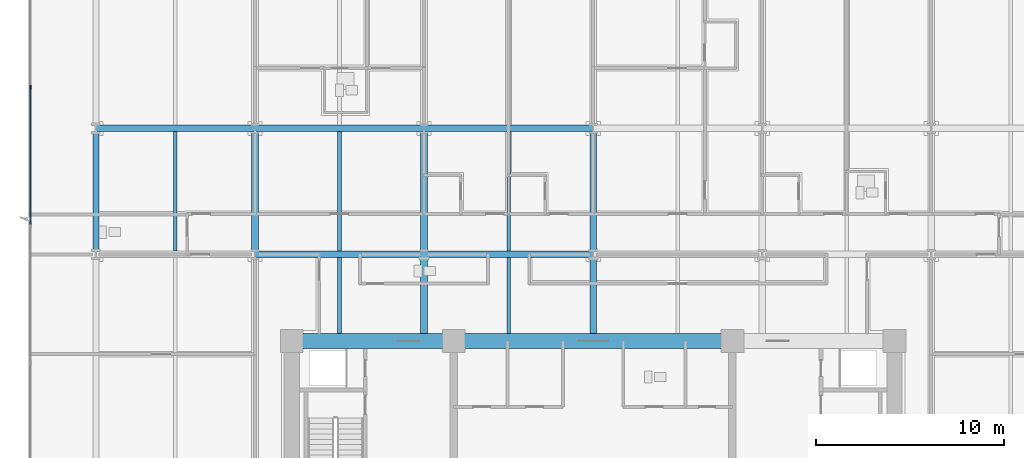
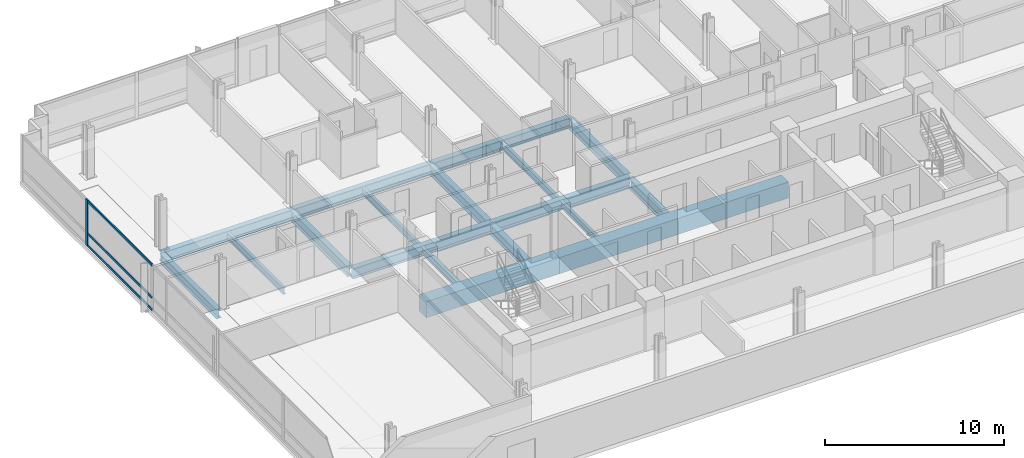
# One storey, part 3 of 16: 18 beams, 4 members, 1 element without a shape of its own.
"""IFC4 building model written with IfcOpenShell, lengths in metres."""

from ifc_helpers import new_model, si_unit, direction, frame, origin, origin_2d, place, context, subcontext, project, spatial, rectangle, i_section, extrude, material, material_profile, profile_set, type_object, element, aggregate, save


model = new_model("IFC4")

# Units and contexts
model_context = context("Model", 3, precision=1e-05, world=origin(), true_north=direction((0.0, 1.0)))
body_context = subcontext(model_context, "Body", "Model", "MODEL_VIEW")
ifc_project = project(units=[si_unit("LENGTHUNIT", "METRE"), si_unit("AREAUNIT", "SQUARE_METRE"), si_unit("VOLUMEUNIT", "CUBIC_METRE"), si_unit("PLANEANGLEUNIT", "RADIAN"), si_unit("MASSUNIT", "GRAM", prefix="KILO")], contexts=[model_context])

# Site, building, storey
site_placement = place(None, origin())
site = spatial("IfcSite", under=ifc_project, at=site_placement, CompositionType="ELEMENT")
building_placement = place(site_placement, origin())
building = spatial("IfcBuilding", under=site, at=building_placement, Name="Solmavex Isthmus Hotel", CompositionType="ELEMENT")
storey_placement = place(building_placement, frame((0.0, 0.0, 67.800048828125)))
storey = spatial("IfcBuildingStorey", under=building, at=storey_placement, Name="L18", CompositionType="ELEMENT", Elevation=67.800048828125)

# Beams
ifc_material_1 = material(Name="Steel ASTM A992 Grade 50", Category="steel")
ifc_material_profile_1 = material_profile(ifc_material_1, i_section(OverallWidth=0.354736328125, OverallDepth=0.695556640625, WebThickness=0.015380859375, FlangeThickness=0.02490234375, FilletRadius=0.017822265625, at=origin_2d()), Name="W27X146")
ifc_profile_set_1 = profile_set([ifc_material_profile_1], Name="Steel ASTM A992 Grade 50")
beam_type_1 = type_object("IfcBeamType", Name="BM-BG-W27X146", PredefinedType="BEAM", material=ifc_profile_set_1)
beam_1_placement = place(storey_placement, frame((-17.951904296875, 2.10009765625, -0.60791015625), z_axis=(1.0, 0.0, 0.0), x_axis=(0.0, 1.0, 0.0)))
element("IfcBeam", 1, at=beam_1_placement, inside=storey, type_object=beam_type_1, Name="Floor Girder L18-UG08", PredefinedType="BEAM", context=body_context, shape_type="SweptSolid", body=[
    extrude(i_section(OverallWidth=0.354736328125, OverallDepth=0.695556640625, WebThickness=0.015380859375, FlangeThickness=0.02490234375, FilletRadius=0.017822265625, at=origin_2d()), origin(), (0.0, 0.0, 1.0), 8.975830078125),
])
beam_2_placement = place(storey_placement, frame((-8.97607421875, 2.10009765625, -0.60791015625), z_axis=(1.0, 0.0, 0.0), x_axis=(0.0, 1.0, 0.0)))
element("IfcBeam", 2, at=beam_2_placement, inside=storey, type_object=beam_type_1, Name="Floor Girder L18-UG09", PredefinedType="BEAM", context=body_context, shape_type="SweptSolid", body=[
    extrude(i_section(OverallWidth=0.354736328125, OverallDepth=0.695556640625, WebThickness=0.015380859375, FlangeThickness=0.02490234375, FilletRadius=0.017822265625, at=origin_2d()), origin(), (0.0, 0.0, 1.0), 8.97607421875),
])
beam_3_placement = place(storey_placement, frame((-26.39990234375, 8.7880859375, -0.60791015625), z_axis=(1.0, 0.0, 0.0), x_axis=(0.0, 1.0, 0.0)))
element("IfcBeam", 3, at=beam_3_placement, inside=storey, type_object=beam_type_1, Name="Floor Girder L18-UG13", PredefinedType="BEAM", context=body_context, shape_type="SweptSolid", body=[
    extrude(i_section(OverallWidth=0.354736328125, OverallDepth=0.695556640625, WebThickness=0.015380859375, FlangeThickness=0.02490234375, FilletRadius=0.017822265625, at=origin_2d()), origin(), (0.0, 0.0, 1.0), 8.447998046875),
])
beam_4_placement = place(storey_placement, frame((-17.951904296875, 8.7880859375, -0.60791015625), z_axis=(1.0, 0.0, 0.0), x_axis=(0.0, 1.0, 0.0)))
element("IfcBeam", 4, at=beam_4_placement, inside=storey, type_object=beam_type_1, Name="Floor Girder L18-UG14", PredefinedType="BEAM", context=body_context, shape_type="SweptSolid", body=[
    extrude(i_section(OverallWidth=0.354736328125, OverallDepth=0.695556640625, WebThickness=0.015380859375, FlangeThickness=0.02490234375, FilletRadius=0.017822265625, at=origin_2d()), origin(), (0.0, 0.0, 1.0), 8.975830078125),
])
beam_5_placement = place(storey_placement, frame((-8.97607421875, 8.7880859375, -0.60791015625), z_axis=(1.0, 0.0, 0.0), x_axis=(0.0, 1.0, 0.0)))
element("IfcBeam", 5, at=beam_5_placement, inside=storey, type_object=beam_type_1, Name="Floor Girder L18-UG15", PredefinedType="BEAM", context=body_context, shape_type="SweptSolid", body=[
    extrude(i_section(OverallWidth=0.354736328125, OverallDepth=0.695556640625, WebThickness=0.015380859375, FlangeThickness=0.02490234375, FilletRadius=0.017822265625, at=origin_2d()), origin(), (0.0, 0.0, 1.0), 8.97607421875),
])
beam_6_placement = place(storey_placement, frame((-17.951904296875, 2.27734375, -0.60791015625), z_axis=(0.0, 1.0, 0.0), x_axis=(-1.0, 0.0, 0.0)))
element("IfcBeam", 6, at=beam_6_placement, inside=storey, type_object=beam_type_1, Name="Floor Beam L18-VG29", PredefinedType="BEAM", context=body_context, shape_type="SweptSolid", body=[
    extrude(i_section(OverallWidth=0.354736328125, OverallDepth=0.695556640625, WebThickness=0.015380859375, FlangeThickness=0.02490234375, FilletRadius=0.017822265625, at=origin_2d()), origin(), (0.0, 0.0, 1.0), 6.333251953125),
])
beam_7_placement = place(storey_placement, frame((-8.97607421875, -2.10009765625, -0.60791015625), z_axis=(0.0, 1.0, 0.0), x_axis=(-1.0, 0.0, 0.0)))
element("IfcBeam", 7, at=beam_7_placement, inside=storey, type_object=beam_type_1, Name="Floor Beam L18-VG32", PredefinedType="BEAM", context=body_context, shape_type="SweptSolid", body=[
    extrude(i_section(OverallWidth=0.354736328125, OverallDepth=0.695556640625, WebThickness=0.015380859375, FlangeThickness=0.02490234375, FilletRadius=0.017822265625, at=origin_2d()), origin(), (0.0, 0.0, 1.0), 4.022705078125),
])
beam_8_placement = place(storey_placement, frame((-8.97607421875, 2.27734375, -0.60791015625), z_axis=(0.0, 1.0, 0.0), x_axis=(-1.0, 0.0, 0.0)))
element("IfcBeam", 8, at=beam_8_placement, inside=storey, type_object=beam_type_1, Name="Floor Beam L18-VG33", PredefinedType="BEAM", context=body_context, shape_type="SweptSolid", body=[
    extrude(i_section(OverallWidth=0.354736328125, OverallDepth=0.695556640625, WebThickness=0.015380859375, FlangeThickness=0.02490234375, FilletRadius=0.017822265625, at=origin_2d()), origin(), (0.0, 0.0, 1.0), 6.333251953125),
])
beam_9_placement = place(storey_placement, frame((0.0, -2.10009765625, -0.60791015625), z_axis=(0.0, 1.0, 0.0), x_axis=(-1.0, 0.0, 0.0)))
element("IfcBeam", 9, at=beam_9_placement, inside=storey, type_object=beam_type_1, Name="Floor Beam L18-VG36", PredefinedType="BEAM", context=body_context, shape_type="SweptSolid", body=[
    extrude(i_section(OverallWidth=0.354736328125, OverallDepth=0.695556640625, WebThickness=0.015380859375, FlangeThickness=0.02490234375, FilletRadius=0.017822265625, at=origin_2d()), origin(), (0.0, 0.0, 1.0), 4.022705078125),
])
beam_10_placement = place(storey_placement, frame((0.0, 2.27734375, -0.60791015625), z_axis=(0.0, 1.0, 0.0), x_axis=(-1.0, 0.0, 0.0)))
element("IfcBeam", 10, at=beam_10_placement, inside=storey, type_object=beam_type_1, Name="Floor Beam L18-VG37", PredefinedType="BEAM", context=body_context, shape_type="SweptSolid", body=[
    extrude(i_section(OverallWidth=0.354736328125, OverallDepth=0.695556640625, WebThickness=0.015380859375, FlangeThickness=0.02490234375, FilletRadius=0.017822265625, at=origin_2d()), origin(), (0.0, 0.0, 1.0), 6.333251953125),
])
ifc_material_profile_2 = material_profile(ifc_material_1, i_section(OverallWidth=0.1904296875, OverallDepth=0.456787109375, WebThickness=0.009033203125, FlangeThickness=0.014404296875, FilletRadius=0.0126953125, at=origin_2d()), Name="W18X50")
ifc_profile_set_2 = profile_set([ifc_material_profile_2], Name="Steel ASTM A992 Grade 50")
beam_type_2 = type_object("IfcBeamType", Name="BM-BJ-W18X50", PredefinedType="JOIST", material=ifc_profile_set_2)
beam_11_placement = place(storey_placement, frame((-22.176025390625, 2.27734375, -0.488525390625), z_axis=(0.0, 1.0, 0.0), x_axis=(-1.0, 0.0, 0.0)))
element("IfcBeam", 11, at=beam_11_placement, inside=storey, type_object=beam_type_2, Name="Secondary Floor Joist L18-J02", PredefinedType="JOIST", context=body_context, shape_type="SweptSolid", body=[
    extrude(i_section(OverallWidth=0.1904296875, OverallDepth=0.456787109375, WebThickness=0.009033203125, FlangeThickness=0.014404296875, FilletRadius=0.0126953125, at=origin_2d()), origin(), (0.0, 0.0, 1.0), 6.333251953125),
])
beam_12_placement = place(storey_placement, frame((-13.464111328125, -2.10009765625, -0.488525390625), z_axis=(0.0, 1.0, 0.0), x_axis=(-1.0, 0.0, 0.0)))
element("IfcBeam", 12, at=beam_12_placement, inside=storey, type_object=beam_type_2, Name="Secondary Floor Joist L18-J05", PredefinedType="JOIST", context=body_context, shape_type="SweptSolid", body=[
    extrude(i_section(OverallWidth=0.1904296875, OverallDepth=0.456787109375, WebThickness=0.009033203125, FlangeThickness=0.014404296875, FilletRadius=0.0126953125, at=origin_2d()), origin(), (0.0, 0.0, 1.0), 4.022705078125),
])
beam_13_placement = place(storey_placement, frame((-13.464111328125, 2.27734375, -0.488525390625), z_axis=(0.0, 1.0, 0.0), x_axis=(-1.0, 0.0, 0.0)))
element("IfcBeam", 13, at=beam_13_placement, inside=storey, type_object=beam_type_2, Name="Secondary Floor Joist L18-J06", PredefinedType="JOIST", context=body_context, shape_type="SweptSolid", body=[
    extrude(i_section(OverallWidth=0.1904296875, OverallDepth=0.456787109375, WebThickness=0.009033203125, FlangeThickness=0.014404296875, FilletRadius=0.0126953125, at=origin_2d()), origin(), (0.0, 0.0, 1.0), 6.333251953125),
])
beam_14_placement = place(storey_placement, frame((-4.488037109375, -2.10009765625, -0.488525390625), z_axis=(0.0, 1.0, 0.0), x_axis=(-1.0, 0.0, 0.0)))
element("IfcBeam", 14, at=beam_14_placement, inside=storey, type_object=beam_type_2, Name="Secondary Floor Joist L18-J09", PredefinedType="JOIST", context=body_context, shape_type="SweptSolid", body=[
    extrude(i_section(OverallWidth=0.1904296875, OverallDepth=0.456787109375, WebThickness=0.009033203125, FlangeThickness=0.014404296875, FilletRadius=0.0126953125, at=origin_2d()), origin(), (0.0, 0.0, 1.0), 4.022705078125),
])
beam_15_placement = place(storey_placement, frame((-4.488037109375, 2.27734375, -0.488525390625), z_axis=(0.0, 1.0, 0.0), x_axis=(-1.0, 0.0, 0.0)))
element("IfcBeam", 15, at=beam_15_placement, inside=storey, type_object=beam_type_2, Name="Secondary Floor Joist L18-J10", PredefinedType="JOIST", context=body_context, shape_type="SweptSolid", body=[
    extrude(i_section(OverallWidth=0.1904296875, OverallDepth=0.456787109375, WebThickness=0.009033203125, FlangeThickness=0.014404296875, FilletRadius=0.0126953125, at=origin_2d()), origin(), (0.0, 0.0, 1.0), 6.333251953125),
])
ifc_material_2 = material(Name="Concrete C70/85", Category="concrete")
ifc_material_profile_3 = material_profile(ifc_material_2, rectangle(XDim=0.800048828125, YDim=1.10009765625, at=origin_2d()), Name="RC800X1100")
ifc_profile_set_3 = profile_set([ifc_material_profile_3], Name="Concrete C70/85")
beam_type_3 = type_object("IfcBeamType", Name="BM-CB-800X1100", PredefinedType="BEAM", material=ifc_profile_set_3)
beam_16_placement = place(storey_placement, frame((-16.0, -2.5, -0.81005859375), z_axis=(1.0, 0.0, 0.0), x_axis=(0.0, 1.0, 0.0)))
element("IfcBeam", 16, at=beam_16_placement, inside=storey, type_object=beam_type_3, Name="Core Coupling Beam L18-CB4", PredefinedType="BEAM", context=body_context, shape_type="SweptSolid", body=[
    extrude(rectangle(XDim=0.800048828125, YDim=1.10009765625, at=origin_2d()), origin(), (0.0, 0.0, 1.0), 8.60009765625),
])
beam_17_placement = place(storey_placement, frame((-7.39990234375, -2.5, -0.81005859375), z_axis=(1.0, 0.0, 0.0), x_axis=(0.0, 1.0, 0.0)))
element("IfcBeam", 17, at=beam_17_placement, inside=storey, type_object=beam_type_3, Name="Core Coupling Beam L18-CB5", PredefinedType="BEAM", context=body_context, shape_type="SweptSolid", body=[
    extrude(rectangle(XDim=0.800048828125, YDim=1.10009765625, at=origin_2d()), origin(), (0.0, 0.0, 1.0), 14.7998046875),
])
ifc_material_profile_4 = material_profile(ifc_material_1, i_section(OverallWidth=0.326416015625, OverallDepth=0.621826171875, WebThickness=0.015380859375, FlangeThickness=0.0244140625, FilletRadius=0.01513671875, at=origin_2d()), Name="W24X131")
ifc_profile_set_4 = profile_set([ifc_material_profile_4], Name="Steel ASTM A992 Grade 50")
beam_type_4 = type_object("IfcBeamType", Name="BM-SP-W24X131", PredefinedType="SPANDREL", material=ifc_profile_set_4)
beam_18_placement = place(storey_placement, frame((-26.39990234375, 2.27734375, -0.571044921875), z_axis=(0.0, 1.0, 0.0), x_axis=(-1.0, 0.0, 0.0)))
element("IfcBeam", 18, at=beam_18_placement, inside=storey, type_object=beam_type_4, Name="Floor Beam L18-VG26", PredefinedType="SPANDREL", context=body_context, shape_type="SweptSolid", body=[
    extrude(i_section(OverallWidth=0.326416015625, OverallDepth=0.621826171875, WebThickness=0.015380859375, FlangeThickness=0.0244140625, FilletRadius=0.01513671875, at=origin_2d()), origin(), (0.0, 0.0, 1.0), 6.333251953125),
])

# Curtain wall, members
ifc_material_3 = material(Name="Aluminium alloy 6063-T6", Category="aluminium")
curtain_wall_type = type_object("IfcCurtainWallType", Name="CW-SYS-02", PredefinedType="NOTDEFINED", material=ifc_material_3)
curtain_wall_placement = place(storey_placement, origin())
curtain_wall = element("IfcCurtainWall", 19, at=curtain_wall_placement, inside=storey, type_object=curtain_wall_type, Name="Stick Curtain Wall CWL-L18-W1", PredefinedType="NOTDEFINED")
ifc_material_profile_5 = material_profile(ifc_material_3, rectangle(XDim=0.074951171875, YDim=0.219970703125, at=origin_2d()), Name="CWM-75X220")
ifc_profile_set_5 = profile_set([ifc_material_profile_5], Name="Aluminium alloy 6063-T6")
member_type_1 = type_object("IfcMemberType", Name="CW-SYS-02-MUL", PredefinedType="MULLION", material=ifc_profile_set_5)
member_1_placement = place(storey_placement, frame((-29.8798828125, 10.97998046875, 0.0), z_axis=(0.0, 0.0, 1.0), x_axis=(-1.0, 0.0, 0.0)))
member_1 = element("IfcMember", 20, at=member_1_placement, type_object=member_type_1, Name="CW-02 mullion 5", PredefinedType="MULLION", context=body_context, shape_type="SweptSolid", body=[
    extrude(rectangle(XDim=0.074951171875, YDim=0.219970703125, at=origin_2d()), origin(), (0.0, 0.0, 1.0), 3.18994140625),
])
ifc_material_profile_6 = material_profile(ifc_material_3, rectangle(XDim=0.074951171875, YDim=0.159912109375, at=origin_2d()), Name="CWT-75X160")
ifc_profile_set_6 = profile_set([ifc_material_profile_6], Name="Aluminium alloy 6063-T6")
member_type_2 = type_object("IfcMemberType", Name="CW-SYS-02-TRN", PredefinedType="USERDEFINED", material=ifc_profile_set_6)
member_2_placement = place(storey_placement, frame((-29.8798828125, 3.697509765625, 0.079833984375), z_axis=(0.0, 1.0, 0.0), x_axis=(-1.0, 0.0, 0.0)))
member_2 = element("IfcMember", 21, at=member_2_placement, type_object=member_type_2, Name="CW-02 transom 4.1", ObjectType="TRANSOM", PredefinedType="USERDEFINED", context=body_context, shape_type="SweptSolid", body=[
    extrude(rectangle(XDim=0.074951171875, YDim=0.159912109375, at=origin_2d()), origin(), (0.0, 0.0, 1.0), 7.244873046875),
])
member_3_placement = place(storey_placement, frame((-29.8798828125, 3.697509765625, 0.89990234375), z_axis=(0.0, 1.0, 0.0), x_axis=(-1.0, 0.0, 0.0)))
member_3 = element("IfcMember", 22, at=member_3_placement, type_object=member_type_2, Name="CW-02 transom 4.2", ObjectType="TRANSOM", PredefinedType="USERDEFINED", context=body_context, shape_type="SweptSolid", body=[
    extrude(rectangle(XDim=0.074951171875, YDim=0.159912109375, at=origin_2d()), origin(), (0.0, 0.0, 1.0), 7.244873046875),
])
member_4_placement = place(storey_placement, frame((-29.8798828125, 3.697509765625, 3.10986328125), z_axis=(0.0, 1.0, 0.0), x_axis=(-1.0, 0.0, 0.0)))
member_4 = element("IfcMember", 23, at=member_4_placement, type_object=member_type_2, Name="CW-02 transom 4.3", ObjectType="TRANSOM", PredefinedType="USERDEFINED", context=body_context, shape_type="SweptSolid", body=[
    extrude(rectangle(XDim=0.074951171875, YDim=0.159912109375, at=origin_2d()), origin(), (0.0, 0.0, 1.0), 7.244873046875),
])
aggregate(curtain_wall, [member_1, member_2, member_3, member_4])

save(model, "model.ifc")
